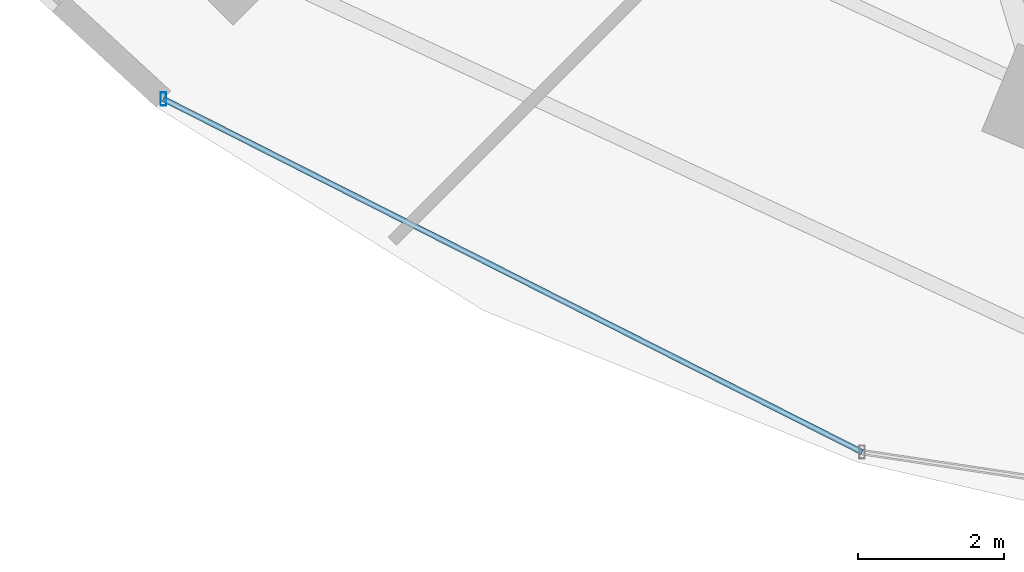
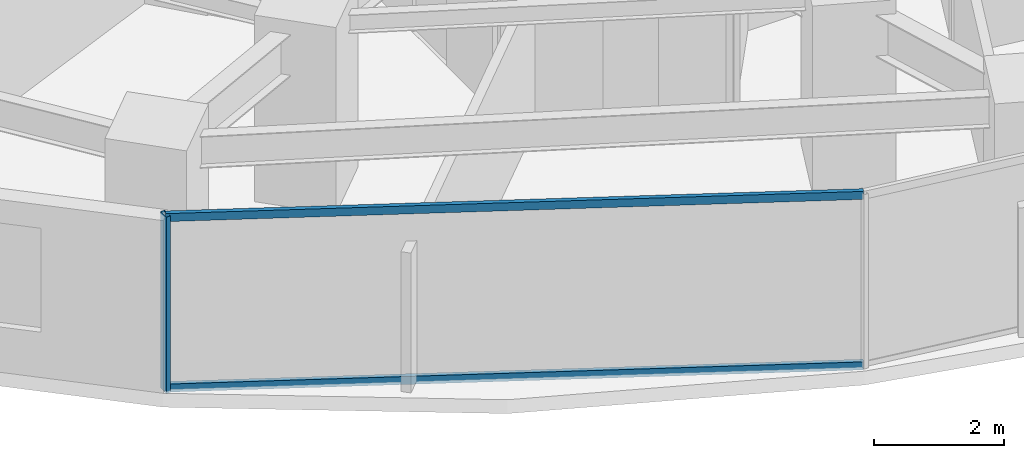
# One storey, part 2 of 34: 3 members, 1 element without a shape of its own.
"""IFC4 building model written with IfcOpenShell, lengths in metres."""

import ifcopenshell
import ifcopenshell.guid

model = None  # the IFC model being written
_history = None  # IfcOwnerHistory: only IFC2X3 demands one
_inside = {}  # id of a spatial element -> (the spatial element, [elements in it])
_under = {}  # id of a project, library or spatial element -> (it, [spatial elements below it])
_declared = {}  # id of a project -> (the project, [libraries it declares])
_typed = {}  # id of a type object -> (the type object, [elements of that type])
_made_of = {}  # id of a material, layer set ... -> (it, [elements and type objects made of it])


def new_model(schema):
    """Start an empty IFC model of exactly this schema.

    Asked for "IFC4X3", IfcOpenShell would pick the latest addendum, in which some entities
    have other attributes; the version numbers below select the first issue.
    IFC2X3 requires an IfcOwnerHistory on every rooted entity: one is made here for all.
    """
    global model, _history
    if schema == "IFC4X3":
        model = ifcopenshell.file(schema_version=(4, 3, 0, 0))
    else:
        model = ifcopenshell.file(schema=schema)
    _inside.clear()
    _under.clear()
    _declared.clear()
    _typed.clear()
    _made_of.clear()
    _history = None
    if model.schema == "IFC2X3":
        org = make("IfcOrganization", Name="unknown")
        user = make(
            "IfcPersonAndOrganization",
            ThePerson=make("IfcPerson", FamilyName="unknown"),
            TheOrganization=org,
        )
        app = make(
            "IfcApplication",
            ApplicationDeveloper=org,
            Version="unknown",
            ApplicationFullName="unknown",
            ApplicationIdentifier="unknown",
        )
        _history = make(
            "IfcOwnerHistory",
            OwningUser=user,
            OwningApplication=app,
            ChangeAction="ADDED",
            CreationDate=0,
        )
    return model


def make(cls, **values):
    """One entity of the class cls with the attributes given. An attribute that is None is left unset."""
    return model.create_entity(
        cls, **{name: value for name, value in values.items() if value is not None}
    )


def rooted(cls, **values):
    """An entity with a GlobalId (a new one), such as an element, a storey or a relation."""
    return make(cls, GlobalId=ifcopenshell.guid.new(), OwnerHistory=_history, **values)


def si_unit(unit_type, name, prefix=None):
    """IfcSIUnit, for example si_unit("LENGTHUNIT", "METRE", prefix="MILLI")."""
    return make("IfcSIUnit", UnitType=unit_type, Prefix=prefix, Name=name)


def assignment(units):
    """IfcUnitAssignment: the units of a project."""
    return None if units is None else make("IfcUnitAssignment", Units=units)


def point(xyz):
    """IfcCartesianPoint."""
    return None if xyz is None else make("IfcCartesianPoint", Coordinates=xyz)


def direction(xyz):
    """IfcDirection."""
    return None if xyz is None else make("IfcDirection", DirectionRatios=xyz)


def frame(location, z_axis=None, x_axis=None):
    """IfcAxis2Placement3D, a coordinate frame: its origin and axes. An axis left out is left unset."""
    return make(
        "IfcAxis2Placement3D",
        Location=point(location),
        Axis=direction(z_axis),
        RefDirection=direction(x_axis),
    )


def frame_2d(location, x_axis=None):
    """IfcAxis2Placement2D, a coordinate frame in the plane: its origin and x axis."""
    return make(
        "IfcAxis2Placement2D", Location=point(location), RefDirection=direction(x_axis)
    )


def origin():
    """The frame at (0, 0, 0) with its axes left unset."""
    return frame((0.0, 0.0, 0.0))


def origin_2d():
    """The frame at (0, 0) in the plane with its x axis left unset."""
    return frame_2d((0.0, 0.0))


def place(relative_to, where):
    """IfcLocalPlacement: puts the frame where relative to a parent placement (None: the world)."""
    return make(
        "IfcLocalPlacement", PlacementRelTo=relative_to, RelativePlacement=where
    )


def context(
    kind, dimensions, precision=None, world=None, true_north=None, identifier=None
):
    """IfcGeometricRepresentationContext, for example the 3D "Model" context."""
    return make(
        "IfcGeometricRepresentationContext",
        ContextIdentifier=identifier,
        ContextType=kind,
        CoordinateSpaceDimension=dimensions,
        Precision=precision,
        WorldCoordinateSystem=world,
        TrueNorth=true_north,
    )


def subcontext(parent, identifier, kind, view, scale=None):
    """IfcGeometricRepresentationSubContext, for example "Body" below "Model"."""
    return make(
        "IfcGeometricRepresentationSubContext",
        ContextIdentifier=identifier,
        ContextType=kind,
        ParentContext=parent,
        TargetScale=scale,
        TargetView=view,
    )


def project(units=None, contexts=None):
    """IfcProject with its units and contexts."""
    return rooted(
        "IfcProject",
        Name="project",
        RepresentationContexts=contexts,
        UnitsInContext=assignment(units),
    )


def spatial(cls, under=None, at=None, **own):
    """A site, building, storey or space (cls), placed at a placement, below another one or the project."""
    s = rooted(cls, ObjectPlacement=at, **own)
    if under is not None:
        _under.setdefault(under.id(), (under, []))[1].append(s)
    return s


def profile(cls, at=None, kind="AREA", **sizes):
    """A parametric profile (cls). Its sizes go by their IFC names, for example OverallWidth=200.0."""
    return make(cls, ProfileType=kind, Position=at, **sizes)


def hollow_rectangle(**sizes):
    """IfcRectangleHollowProfileDef."""
    return profile("IfcRectangleHollowProfileDef", **sizes)


def extrude(swept, where, along, depth):
    """IfcExtrudedAreaSolid: the profile swept, set in the frame where, extruded along a direction by depth."""
    return make(
        "IfcExtrudedAreaSolid",
        SweptArea=swept,
        Position=where,
        ExtrudedDirection=direction(along),
        Depth=depth,
    )


def shape(context_of_items, identifier, shape_type, items):
    """IfcShapeRepresentation: the items that make up one representation, for example the "Body"."""
    return make(
        "IfcShapeRepresentation",
        ContextOfItems=context_of_items,
        RepresentationIdentifier=identifier,
        RepresentationType=shape_type,
        Items=items,
    )


def material(Name=None, Category=None):
    """IfcMaterial."""
    return make("IfcMaterial", Name=Name, Category=Category)


def material_profile(
    of_material, cross_section, Name=None, Category=None, Priority=None
):
    """IfcMaterialProfile: a cross section and its material."""
    return make(
        "IfcMaterialProfile",
        Name=Name,
        Material=of_material,
        Profile=cross_section,
        Priority=Priority,
        Category=Category,
    )


def profile_set(profiles, Name=None, composite=None):
    """IfcMaterialProfileSet."""
    return make(
        "IfcMaterialProfileSet",
        Name=Name,
        MaterialProfiles=profiles,
        CompositeProfile=composite,
    )


def made_of(thing, what):
    """Note that an element or type object is made of a material, layer set ...; save() writes the relation."""
    if what is not None:
        _made_of.setdefault(what.id(), (what, []))[1].append(thing)
    return thing


def type_object(cls, material=None, **own):
    """A type object (cls), such as IfcWallType, which elements share."""
    return made_of(rooted(cls, **own), material)


def element(
    cls,
    number,
    at=None,
    inside=None,
    cuts=None,
    type_object=None,
    material=None,
    context=None,
    identifier="Body",
    shape_type=None,
    held_by="IfcProductDefinitionShape",
    body=None,
    shapes=None,
    **own,
):
    """One element of the class cls, such as IfcWall. Its Tag is "e" and its number.

    at: its placement. inside: the storey or other place that contains it. cuts: it is an
    opening in that element (IfcRelVoidsElement). A single representation is given by context,
    identifier, shape_type and body (its items); several are given by shapes. held_by: the class
    of the entity that holds the representations. save() writes the other relations.
    """
    e = rooted(cls, Tag="e%d" % number, ObjectPlacement=at, **own)
    if body is not None:
        shapes = [shape(context, identifier, shape_type, body)]
    if shapes is not None:
        e.Representation = make(held_by, Representations=shapes)
    if inside is not None:
        _inside.setdefault(inside.id(), (inside, []))[1].append(e)
    if cuts is not None:
        rooted(
            "IfcRelVoidsElement", RelatingBuildingElement=cuts, RelatedOpeningElement=e
        )
    if type_object is not None:
        _typed.setdefault(type_object.id(), (type_object, []))[1].append(e)
    return made_of(e, material)


def aggregate(whole, parts):
    """IfcRelAggregates: a whole, such as a stair, and the parts it consists of."""
    return rooted("IfcRelAggregates", RelatingObject=whole, RelatedObjects=parts)


def save(model, path):
    """Write the relations noted so far, then the file.

    IfcRelAggregates (storeys below a building ...), IfcRelContainedInSpatialStructure (elements
    in a storey), IfcRelDefinesByType, IfcRelAssociatesMaterial and IfcRelDeclares: one each for
    every whole, place, type object, material and project.
    """
    for whole, parts in _under.values():
        aggregate(whole, parts)
    for where, things in _inside.values():
        rooted(
            "IfcRelContainedInSpatialStructure",
            RelatedElements=things,
            RelatingStructure=where,
        )
    for kind, things in _typed.values():
        rooted("IfcRelDefinesByType", RelatedObjects=things, RelatingType=kind)
    for what, things in _made_of.values():
        rooted("IfcRelAssociatesMaterial", RelatedObjects=things, RelatingMaterial=what)
    for by, libraries in _declared.values():
        rooted("IfcRelDeclares", RelatingContext=by, RelatedDefinitions=libraries)
    model.write(path)


model = new_model("IFC4")

# Units and contexts
model_context = context("Model", 3, precision=1e-05, world=origin(), true_north=direction((0.0, 1.0)))
body_context = subcontext(model_context, "Body", "Model", "MODEL_VIEW")
ifc_project = project(units=[si_unit("LENGTHUNIT", "METRE"), si_unit("AREAUNIT", "SQUARE_METRE"), si_unit("VOLUMEUNIT", "CUBIC_METRE"), si_unit("PLANEANGLEUNIT", "RADIAN"), si_unit("MASSUNIT", "GRAM", prefix="KILO")], contexts=[model_context])

# Site, building, storey
site_placement = place(None, origin())
site = spatial("IfcSite", under=ifc_project, at=site_placement, CompositionType="ELEMENT")
building_placement = place(site_placement, origin())
building = spatial("IfcBuilding", under=site, at=building_placement, Name="Vorneva Point Tower", CompositionType="ELEMENT")
storey_placement = place(building_placement, frame((0.0, 0.0, 31.0)))
storey = spatial("IfcBuildingStorey", under=building, at=storey_placement, Name="L07", CompositionType="ELEMENT", Elevation=31.0)

# Curtain wall, members
ifc_material = material(Name="Pale anodised aluminium", Category="aluminium")
curtain_wall_type = type_object("IfcCurtainWallType", Name="CW-HTL-SYS", PredefinedType="NOTDEFINED", material=ifc_material)
curtain_wall_placement = place(storey_placement, origin())
curtain_wall = element("IfcCurtainWall", 1, at=curtain_wall_placement, inside=storey, type_object=curtain_wall_type, Name="L07 Unitised Curtain Wall CW-L07-R04", PredefinedType="NOTDEFINED")
ifc_material_profile_1 = material_profile(ifc_material, hollow_rectangle(XDim=0.074951171875, YDim=0.179931640625, WallThickness=0.00390625, at=origin_2d()), Name="AL-MUL 180x75x4")
ifc_profile_set_1 = profile_set([ifc_material_profile_1], Name="Pale anodised aluminium")
member_type_1 = type_object("IfcMemberType", Name="CW-MUL-180", PredefinedType="MULLION", material=ifc_profile_set_1)
member_1_placement = place(storey_placement, frame((17.10498046875, 10.1962890625, -0.0400390625), z_axis=(0.0, 0.0, 1.0), x_axis=(1.0, 0.0, 0.0)))
member_1 = element("IfcMember", 2, at=member_1_placement, type_object=member_type_1, Name="CW-L07-R04 Mullion 01", PredefinedType="MULLION", context=body_context, shape_type="SweptSolid", body=[
    extrude(hollow_rectangle(XDim=0.074951171875, YDim=0.179931640625, WallThickness=0.00390625, at=origin_2d()), origin(), (0.0, 0.0, 1.0), 3.31005859375),
])
ifc_material_profile_2 = material_profile(ifc_material, hollow_rectangle(XDim=0.074951171875, YDim=0.14990234375, WallThickness=0.00390625, at=origin_2d()), Name="AL-TRN 150x75x4")
ifc_profile_set_2 = profile_set([ifc_material_profile_2], Name="Pale anodised aluminium")
member_type_2 = type_object("IfcMemberType", Name="CW-TRN-150", PredefinedType="USERDEFINED", material=ifc_profile_set_2)
member_2_placement = place(storey_placement, frame((17.10498046875, 10.1962890625, 0.02001953125), z_axis=(0.892496057621, -0.451055192999, 0.0), x_axis=(0.451055192999, 0.892496057621, 0.0)))
member_2 = element("IfcMember", 3, at=member_2_placement, type_object=member_type_2, Name="CW-L07-R04 Transom 01.1", ObjectType="TRANSOM", PredefinedType="USERDEFINED", context=body_context, shape_type="SweptSolid", body=[
    extrude(hollow_rectangle(XDim=0.074951171875, YDim=0.14990234375, WallThickness=0.00390625, at=origin_2d()), origin(), (0.0, 0.0, 1.0), 10.741455078125),
])
member_3_placement = place(storey_placement, frame((17.10498046875, 10.1962890625, 3.219970703125), z_axis=(0.892496057621, -0.451055192999, 0.0), x_axis=(0.451055192999, 0.892496057621, 0.0)))
member_3 = element("IfcMember", 4, at=member_3_placement, type_object=member_type_2, Name="CW-L07-R04 Transom 01.2", ObjectType="TRANSOM", PredefinedType="USERDEFINED", context=body_context, shape_type="SweptSolid", body=[
    extrude(hollow_rectangle(XDim=0.074951171875, YDim=0.14990234375, WallThickness=0.00390625, at=origin_2d()), origin(), (0.0, 0.0, 1.0), 10.741455078125),
])
aggregate(curtain_wall, [member_1, member_2, member_3])

save(model, "model.ifc")
